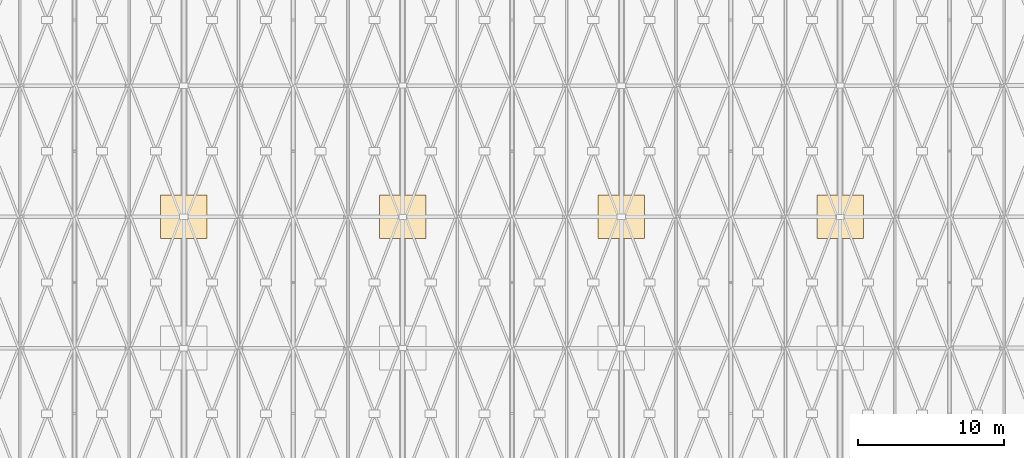
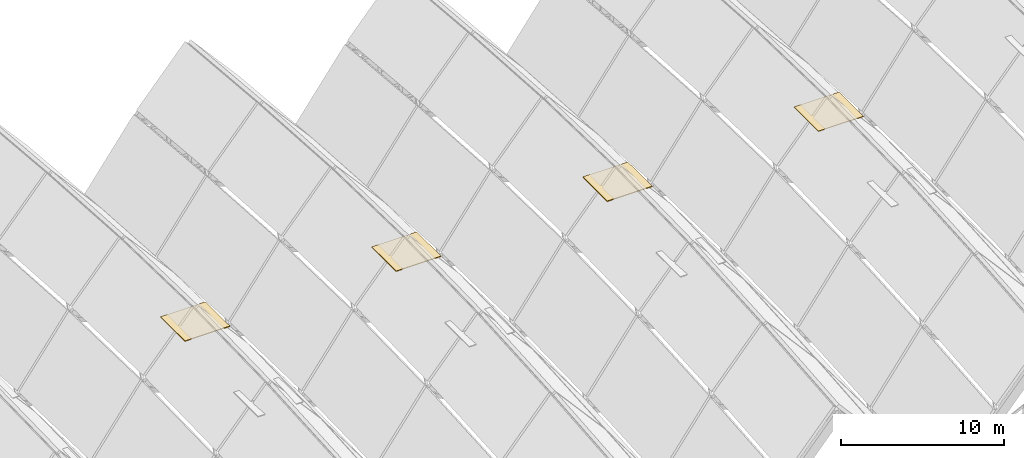
# One storey, part 88 of 93: 4 coverings.
"""IFC4 building model written with IfcOpenShell, lengths in metres."""

from ifc_helpers import new_model, si_unit, direction, frame, origin, place, context, subcontext, project, spatial, polyline, outline, extrude, material, layer, layer_set, type_object, element, save


model = new_model("IFC4")

# Units and contexts
model_context = context("Model", 3, precision=1e-05, world=origin(), true_north=direction((0.0, 1.0)))
body_context = subcontext(model_context, "Body", "Model", "MODEL_VIEW")
ifc_project = project(units=[si_unit("LENGTHUNIT", "METRE"), si_unit("AREAUNIT", "SQUARE_METRE"), si_unit("VOLUMEUNIT", "CUBIC_METRE"), si_unit("PLANEANGLEUNIT", "RADIAN"), si_unit("MASSUNIT", "GRAM", prefix="KILO")], contexts=[model_context])

# Site, building, storey
site_placement = place(None, origin())
site = spatial("IfcSite", under=ifc_project, at=site_placement, CompositionType="ELEMENT")
building_placement = place(site_placement, origin())
building = spatial("IfcBuilding", under=site, at=building_placement, Name="Vourika Railside Aquatics Centre", CompositionType="ELEMENT")
storey_placement = place(building_placement, frame((0.0, 0.0, 21.89990234375)))
storey = spatial("IfcBuildingStorey", under=building, at=storey_placement, Name="Roof", CompositionType="ELEMENT", Elevation=21.89990234375)

# Coverings
ifc_material = material(Name="Glulam GL28h", Category="wood")
ifc_layer_1 = layer(ifc_material, 0.034912109375, Name="COV-SOFFIT-TIM35")
ifc_layer_set_1 = layer_set([ifc_layer_1], Name="Glulam GL28h")
covering_type_1 = type_object("IfcCoveringType", Name="COV-SOFFIT-TIM35", PredefinedType="CEILING", material=ifc_layer_set_1)
covering_1_placement = place(storey_placement, frame((0.0, 0.0, -1.135009765625)))
element("IfcCovering", 1, at=covering_1_placement, inside=storey, type_object=covering_type_1, Name="Perforated Acoustic Timber Soffit Liner Bay 6-2", PredefinedType="CEILING", context=body_context, shape_type="SweptSolid", body=[
    extrude(outline(polyline([(116.89990234375, 37.5), (120.10009765625, 37.5), (120.10009765625, 40.5), (116.89990234375, 40.5), (116.89990234375, 37.5)])), origin(), (0.0, 0.0, 1.0), 0.037109375),
])
ifc_layer_2 = layer(ifc_material, 0.050048828125, Name="COV-SOFFIT-TIM50")
ifc_layer_set_2 = layer_set([ifc_layer_2], Name="Glulam GL28h")
covering_type_2 = type_object("IfcCoveringType", Name="COV-SOFFIT-TIM50", PredefinedType="CEILING", material=ifc_layer_set_2)
covering_2_placement = place(storey_placement, frame((0.0, 0.0, -1.14990234375)))
element("IfcCovering", 2, at=covering_2_placement, inside=storey, type_object=covering_type_2, Name="Perforated Acoustic Timber Soffit Liner Bay 3-2", PredefinedType="CEILING", context=body_context, shape_type="SweptSolid", body=[
    extrude(outline(polyline([(71.89990234375, 37.5), (75.10009765625, 37.5), (75.10009765625, 40.5), (71.89990234375, 40.5), (71.89990234375, 37.5)])), origin(), (0.0, 0.0, 1.0), 0.052001953125),
])
covering_3_placement = place(storey_placement, frame((0.0, 0.0, -1.14990234375)))
element("IfcCovering", 3, at=covering_3_placement, inside=storey, type_object=covering_type_2, Name="Perforated Acoustic Timber Soffit Liner Bay 4-2", PredefinedType="CEILING", context=body_context, shape_type="SweptSolid", body=[
    extrude(outline(polyline([(86.89990234375, 37.5), (90.10009765625, 37.5), (90.10009765625, 40.5), (86.89990234375, 40.5), (86.89990234375, 37.5)])), origin(), (0.0, 0.0, 1.0), 0.052001953125),
])
covering_4_placement = place(storey_placement, frame((0.0, 0.0, -1.14990234375)))
element("IfcCovering", 4, at=covering_4_placement, inside=storey, type_object=covering_type_2, Name="Perforated Acoustic Timber Soffit Liner Bay 5-2", PredefinedType="CEILING", context=body_context, shape_type="SweptSolid", body=[
    extrude(outline(polyline([(101.89990234375, 37.5), (105.10009765625, 37.5), (105.10009765625, 40.5), (101.89990234375, 40.5), (101.89990234375, 37.5)])), origin(), (0.0, 0.0, 1.0), 0.052001953125),
])

save(model, "model.ifc")
